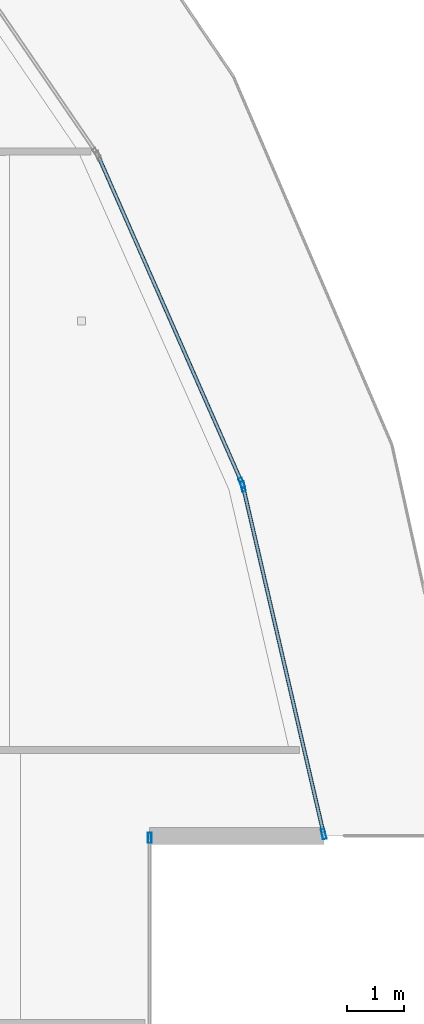
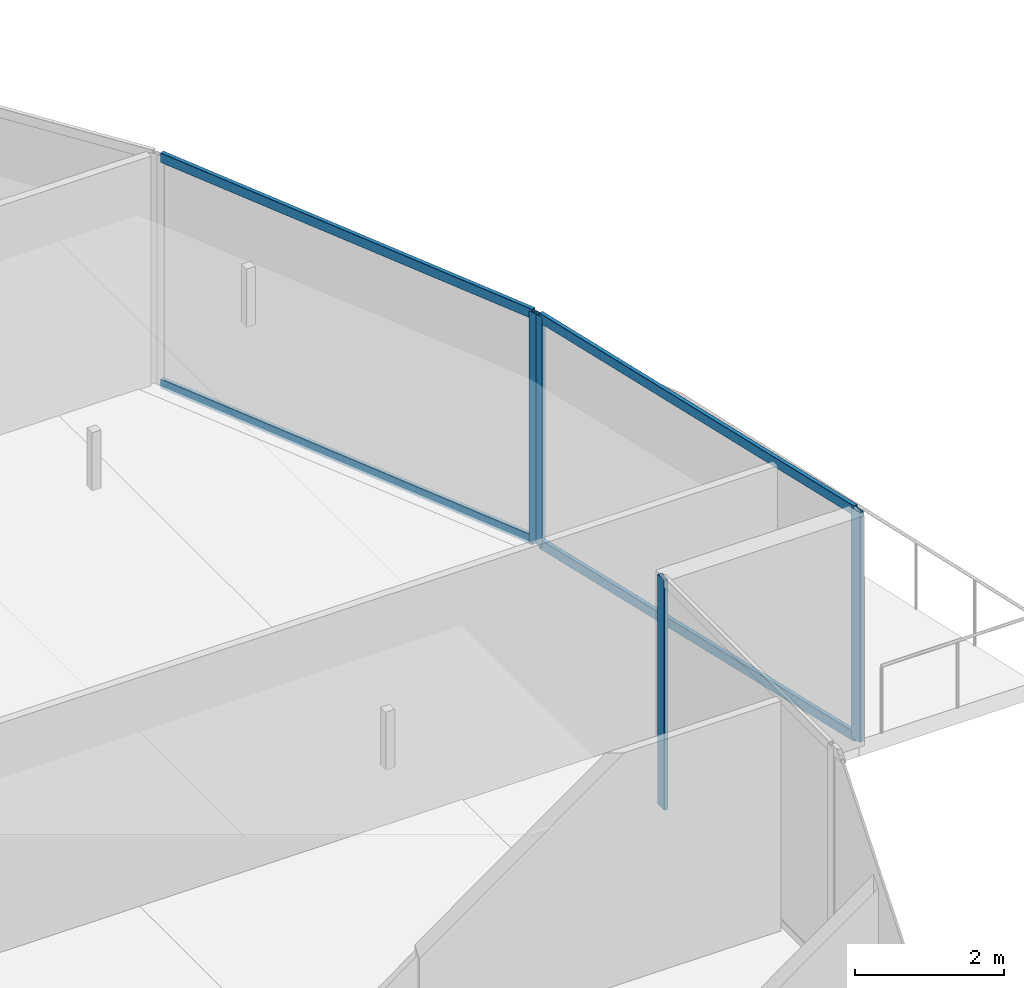
# One storey, part 20 of 37: 8 members, 3 elements without a shape of their own.
"""IFC4 building model written with IfcOpenShell, lengths in metres."""

from ifc_helpers import new_model, si_unit, direction, frame, origin, origin_2d, place, context, subcontext, project, spatial, hollow_rectangle, extrude, material, layer, layer_set, material_profile, profile_set, type_object, element, aggregate, save


model = new_model("IFC4")

# Units and contexts
model_context = context("Model", 3, precision=1e-05, world=origin(), true_north=direction((0.0, 1.0)))
body_context = subcontext(model_context, "Body", "Model", "MODEL_VIEW")
ifc_project = project(units=[si_unit("LENGTHUNIT", "METRE"), si_unit("AREAUNIT", "SQUARE_METRE"), si_unit("VOLUMEUNIT", "CUBIC_METRE"), si_unit("PLANEANGLEUNIT", "RADIAN"), si_unit("MASSUNIT", "GRAM", prefix="KILO")], contexts=[model_context])

# Site, building, storey
site_placement = place(None, origin())
site = spatial("IfcSite", under=ifc_project, at=site_placement, CompositionType="ELEMENT")
building_placement = place(site_placement, origin())
building = spatial("IfcBuilding", under=site, at=building_placement, Name="Qorvath Tower", CompositionType="ELEMENT")
storey_placement = place(building_placement, frame((0.0, 0.0, 188.85009765625)))
storey = spatial("IfcBuildingStorey", under=building, at=storey_placement, Name="L43", CompositionType="ELEMENT", Elevation=188.85009765625)

# Curtain wall, member
ifc_material_1 = material(Name="Anodised aluminium and triple low-E glass", Category="aluminium")
ifc_layer = layer(ifc_material_1, 0.179931640625)
ifc_layer_set = layer_set([ifc_layer], Name="CW-SYS-3")
curtain_wall_type = type_object("IfcCurtainWallType", Name="CW-SYS-3", PredefinedType="NOTDEFINED", material=ifc_layer_set)
curtain_wall_1_placement = place(storey_placement, origin())
curtain_wall_1 = element("IfcCurtainWall", 1, at=curtain_wall_1_placement, inside=storey, type_object=curtain_wall_type, Name="Curtain Wall CW-3 CW-T-L43-9.1", PredefinedType="NOTDEFINED")
ifc_material_2 = material(Name="Anodised aluminium 6063-T6", Category="aluminium")
ifc_material_profile_1 = material_profile(ifc_material_2, hollow_rectangle(XDim=0.06494140625, YDim=0.179931640625, WallThickness=0.00341796875, InnerFilletRadius=0.00341796875, OuterFilletRadius=0.007080078125, at=origin_2d()), Name="CWM 180x65")
ifc_profile_set_1 = profile_set([ifc_material_profile_1], Name="Anodised aluminium 6063-T6")
member_type_1 = type_object("IfcMemberType", Name="CWM-180", PredefinedType="MULLION", material=ifc_profile_set_1)
member_1_placement = place(storey_placement, frame((-0.83837890625, 4.568359375, 0.0), z_axis=(0.0, 0.0, 1.0), x_axis=(-1.0, 0.0, 0.0)))
member_1 = element("IfcMember", 2, at=member_1_placement, type_object=member_type_1, Name="CW-3 mullion 3", PredefinedType="MULLION", context=body_context, shape_type="SweptSolid", body=[
    extrude(hollow_rectangle(XDim=0.06494140625, YDim=0.179931640625, WallThickness=0.00341796875, InnerFilletRadius=0.00341796875, OuterFilletRadius=0.007080078125, at=origin_2d()), origin(), (0.0, 0.0, 1.0), 3.77978515625),
])
aggregate(curtain_wall_1, [member_1])

# Curtain wall, members
curtain_wall_2_placement = place(storey_placement, origin())
curtain_wall_2 = element("IfcCurtainWall", 3, at=curtain_wall_2_placement, inside=storey, type_object=curtain_wall_type, Name="Curtain Wall CW-3 CW-T-L43-11.1", PredefinedType="NOTDEFINED")
member_2_placement = place(storey_placement, frame((2.2216796875, 4.632568359375, 0.0), z_axis=(0.0, 0.0, 1.0), x_axis=(-0.974111283532, -0.226069032147, 0.0)))
member_2 = element("IfcMember", 4, at=member_2_placement, type_object=member_type_1, Name="CW-3 mullion 1", PredefinedType="MULLION", context=body_context, shape_type="SweptSolid", body=[
    extrude(hollow_rectangle(XDim=0.06494140625, YDim=0.179931640625, WallThickness=0.00341796875, InnerFilletRadius=0.00341796875, OuterFilletRadius=0.007080078125, at=origin_2d()), origin(), (0.0, 0.0, 1.0), 3.77978515625),
])
member_3_placement = place(storey_placement, frame((0.80322265625, 10.744140625, 0.0), z_axis=(0.0, 0.0, 1.0), x_axis=(-0.974111283532, -0.226069032147, 0.0)))
member_3 = element("IfcMember", 5, at=member_3_placement, type_object=member_type_1, Name="CW-3 mullion 2", PredefinedType="MULLION", context=body_context, shape_type="SweptSolid", body=[
    extrude(hollow_rectangle(XDim=0.06494140625, YDim=0.179931640625, WallThickness=0.00341796875, InnerFilletRadius=0.00341796875, OuterFilletRadius=0.007080078125, at=origin_2d()), origin(), (0.0, 0.0, 1.0), 3.77978515625),
])

# Curtain wall, member
curtain_wall_3_placement = place(storey_placement, origin())
curtain_wall_3 = element("IfcCurtainWall", 6, at=curtain_wall_3_placement, inside=storey, type_object=curtain_wall_type, Name="Curtain Wall CW-3 CW-T-L43-12.1", PredefinedType="NOTDEFINED")
member_4_placement = place(storey_placement, frame((0.78271484375, 10.8056640625, 0.0), z_axis=(0.0, 0.0, 1.0), x_axis=(-0.915549117046, -0.402206183786, 0.0)))
member_4 = element("IfcMember", 7, at=member_4_placement, type_object=member_type_1, Name="CW-3 mullion 1", PredefinedType="MULLION", context=body_context, shape_type="SweptSolid", body=[
    extrude(hollow_rectangle(XDim=0.06494140625, YDim=0.179931640625, WallThickness=0.00341796875, InnerFilletRadius=0.00341796875, OuterFilletRadius=0.007080078125, at=origin_2d()), origin(), (0.0, 0.0, 1.0), 3.77978515625),
])

# Member
ifc_material_3 = material(Name="Anodised aluminium 6063-T6", Category="aluminium")
ifc_material_profile_2 = material_profile(ifc_material_3, hollow_rectangle(XDim=0.06494140625, YDim=0.159912109375, WallThickness=0.00341796875, InnerFilletRadius=0.00341796875, OuterFilletRadius=0.007080078125, at=origin_2d()), Name="CWT 160x65")
ifc_profile_set_2 = profile_set([ifc_material_profile_2], Name="Anodised aluminium 6063-T6")
member_type_2 = type_object("IfcMemberType", Name="CWT-160", PredefinedType="USERDEFINED", material=ifc_profile_set_2)
member_5_placement = place(storey_placement, frame((2.21435546875, 4.6640625, 0.032470703125), z_axis=(-0.226079741242, 0.974108798133, 0.0), x_axis=(-0.974108798133, -0.226079741242, 0.0)))
member_5 = element("IfcMember", 8, at=member_5_placement, type_object=member_type_2, Name="CW-3 transom 1.1", ObjectType="TRANSOM", PredefinedType="USERDEFINED", context=body_context, shape_type="SweptSolid", body=[
    extrude(hollow_rectangle(XDim=0.06494140625, YDim=0.159912109375, WallThickness=0.00341796875, InnerFilletRadius=0.00341796875, OuterFilletRadius=0.007080078125, at=origin_2d()), origin(), (0.0, 0.0, 1.0), 6.20947265625),
])

member_6_placement = place(storey_placement, frame((2.21435546875, 4.6640625, 3.747314453125), z_axis=(-0.226079741242, 0.974108798133, 0.0), x_axis=(-0.974108798133, -0.226079741242, 0.0)))
member_6 = element("IfcMember", 9, at=member_6_placement, type_object=member_type_2, Name="CW-3 transom 1.2", ObjectType="TRANSOM", PredefinedType="USERDEFINED", context=body_context, shape_type="SweptSolid", body=[
    extrude(hollow_rectangle(XDim=0.06494140625, YDim=0.159912109375, WallThickness=0.00341796875, InnerFilletRadius=0.00341796875, OuterFilletRadius=0.007080078125, at=origin_2d()), origin(), (0.0, 0.0, 1.0), 6.20947265625),
])

aggregate(curtain_wall_2, [member_2, member_3, member_5, member_6])

member_7_placement = place(storey_placement, frame((0.769775390625, 10.83544921875, 0.032470703125), z_axis=(-0.402212776663, 0.915546220728, 0.0), x_axis=(-0.915546220728, -0.402212776663, 0.0)))
member_7 = element("IfcMember", 10, at=member_7_placement, type_object=member_type_2, Name="CW-3 transom 1.1", ObjectType="TRANSOM", PredefinedType="USERDEFINED", context=body_context, shape_type="SweptSolid", body=[
    extrude(hollow_rectangle(XDim=0.06494140625, YDim=0.159912109375, WallThickness=0.00341796875, InnerFilletRadius=0.00341796875, OuterFilletRadius=0.007080078125, at=origin_2d()), origin(), (0.0, 0.0, 1.0), 6.208984375),
])

member_8_placement = place(storey_placement, frame((0.769775390625, 10.83544921875, 3.747314453125), z_axis=(-0.402212776663, 0.915546220728, 0.0), x_axis=(-0.915546220728, -0.402212776663, 0.0)))
member_8 = element("IfcMember", 11, at=member_8_placement, type_object=member_type_2, Name="CW-3 transom 1.2", ObjectType="TRANSOM", PredefinedType="USERDEFINED", context=body_context, shape_type="SweptSolid", body=[
    extrude(hollow_rectangle(XDim=0.06494140625, YDim=0.159912109375, WallThickness=0.00341796875, InnerFilletRadius=0.00341796875, OuterFilletRadius=0.007080078125, at=origin_2d()), origin(), (0.0, 0.0, 1.0), 6.208984375),
])

aggregate(curtain_wall_3, [member_4, member_7, member_8])

save(model, "model.ifc")
